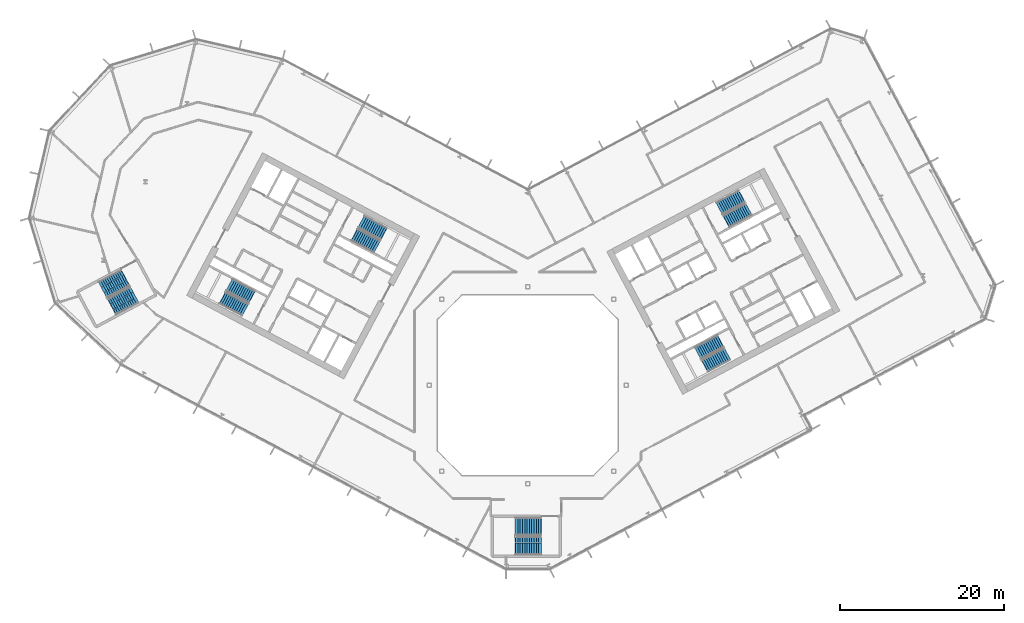
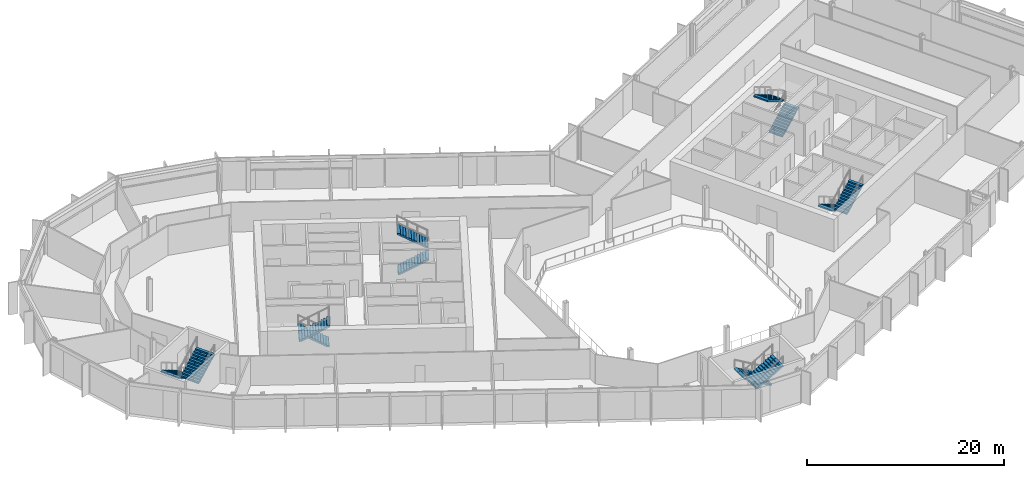
# One storey, part 18 of 28: 12 stair flights, 6 elements without a shape of their own.
"""IFC4 building model written with IfcOpenShell, lengths in metres."""

import ifcopenshell
import ifcopenshell.guid

model = None  # the IFC model being written
_history = None  # IfcOwnerHistory: only IFC2X3 demands one
_inside = {}  # id of a spatial element -> (the spatial element, [elements in it])
_under = {}  # id of a project, library or spatial element -> (it, [spatial elements below it])
_declared = {}  # id of a project -> (the project, [libraries it declares])
_typed = {}  # id of a type object -> (the type object, [elements of that type])
_made_of = {}  # id of a material, layer set ... -> (it, [elements and type objects made of it])


def new_model(schema):
    """Start an empty IFC model of exactly this schema.

    Asked for "IFC4X3", IfcOpenShell would pick the latest addendum, in which some entities
    have other attributes; the version numbers below select the first issue.
    IFC2X3 requires an IfcOwnerHistory on every rooted entity: one is made here for all.
    """
    global model, _history
    if schema == "IFC4X3":
        model = ifcopenshell.file(schema_version=(4, 3, 0, 0))
    else:
        model = ifcopenshell.file(schema=schema)
    _inside.clear()
    _under.clear()
    _declared.clear()
    _typed.clear()
    _made_of.clear()
    _history = None
    if model.schema == "IFC2X3":
        org = make("IfcOrganization", Name="unknown")
        user = make(
            "IfcPersonAndOrganization",
            ThePerson=make("IfcPerson", FamilyName="unknown"),
            TheOrganization=org,
        )
        app = make(
            "IfcApplication",
            ApplicationDeveloper=org,
            Version="unknown",
            ApplicationFullName="unknown",
            ApplicationIdentifier="unknown",
        )
        _history = make(
            "IfcOwnerHistory",
            OwningUser=user,
            OwningApplication=app,
            ChangeAction="ADDED",
            CreationDate=0,
        )
    return model


def make(cls, **values):
    """One entity of the class cls with the attributes given. An attribute that is None is left unset."""
    return model.create_entity(
        cls, **{name: value for name, value in values.items() if value is not None}
    )


def rooted(cls, **values):
    """An entity with a GlobalId (a new one), such as an element, a storey or a relation."""
    return make(cls, GlobalId=ifcopenshell.guid.new(), OwnerHistory=_history, **values)


def si_unit(unit_type, name, prefix=None):
    """IfcSIUnit, for example si_unit("LENGTHUNIT", "METRE", prefix="MILLI")."""
    return make("IfcSIUnit", UnitType=unit_type, Prefix=prefix, Name=name)


def assignment(units):
    """IfcUnitAssignment: the units of a project."""
    return None if units is None else make("IfcUnitAssignment", Units=units)


def point(xyz):
    """IfcCartesianPoint."""
    return None if xyz is None else make("IfcCartesianPoint", Coordinates=xyz)


def direction(xyz):
    """IfcDirection."""
    return None if xyz is None else make("IfcDirection", DirectionRatios=xyz)


def frame(location, z_axis=None, x_axis=None):
    """IfcAxis2Placement3D, a coordinate frame: its origin and axes. An axis left out is left unset."""
    return make(
        "IfcAxis2Placement3D",
        Location=point(location),
        Axis=direction(z_axis),
        RefDirection=direction(x_axis),
    )


def origin():
    """The frame at (0, 0, 0) with its axes left unset."""
    return frame((0.0, 0.0, 0.0))


def place(relative_to, where):
    """IfcLocalPlacement: puts the frame where relative to a parent placement (None: the world)."""
    return make(
        "IfcLocalPlacement", PlacementRelTo=relative_to, RelativePlacement=where
    )


def context(
    kind, dimensions, precision=None, world=None, true_north=None, identifier=None
):
    """IfcGeometricRepresentationContext, for example the 3D "Model" context."""
    return make(
        "IfcGeometricRepresentationContext",
        ContextIdentifier=identifier,
        ContextType=kind,
        CoordinateSpaceDimension=dimensions,
        Precision=precision,
        WorldCoordinateSystem=world,
        TrueNorth=true_north,
    )


def subcontext(parent, identifier, kind, view, scale=None):
    """IfcGeometricRepresentationSubContext, for example "Body" below "Model"."""
    return make(
        "IfcGeometricRepresentationSubContext",
        ContextIdentifier=identifier,
        ContextType=kind,
        ParentContext=parent,
        TargetScale=scale,
        TargetView=view,
    )


def project(units=None, contexts=None):
    """IfcProject with its units and contexts."""
    return rooted(
        "IfcProject",
        Name="project",
        RepresentationContexts=contexts,
        UnitsInContext=assignment(units),
    )


def spatial(cls, under=None, at=None, **own):
    """A site, building, storey or space (cls), placed at a placement, below another one or the project."""
    s = rooted(cls, ObjectPlacement=at, **own)
    if under is not None:
        _under.setdefault(under.id(), (under, []))[1].append(s)
    return s


def polyline(points):
    """IfcPolyline through the points."""
    return make("IfcPolyline", Points=[point(p) for p in points])


def outline(outer, holes=None, kind="AREA"):
    """IfcArbitraryClosedProfileDef: a profile drawn as a closed curve; with holes, ...WithVoids."""
    if holes is None:
        return make("IfcArbitraryClosedProfileDef", ProfileType=kind, OuterCurve=outer)
    return make(
        "IfcArbitraryProfileDefWithVoids",
        ProfileType=kind,
        OuterCurve=outer,
        InnerCurves=holes,
    )


def extrude(swept, where, along, depth):
    """IfcExtrudedAreaSolid: the profile swept, set in the frame where, extruded along a direction by depth."""
    return make(
        "IfcExtrudedAreaSolid",
        SweptArea=swept,
        Position=where,
        ExtrudedDirection=direction(along),
        Depth=depth,
    )


def shape(context_of_items, identifier, shape_type, items):
    """IfcShapeRepresentation: the items that make up one representation, for example the "Body"."""
    return make(
        "IfcShapeRepresentation",
        ContextOfItems=context_of_items,
        RepresentationIdentifier=identifier,
        RepresentationType=shape_type,
        Items=items,
    )


def material(Name=None, Category=None):
    """IfcMaterial."""
    return make("IfcMaterial", Name=Name, Category=Category)


def made_of(thing, what):
    """Note that an element or type object is made of a material, layer set ...; save() writes the relation."""
    if what is not None:
        _made_of.setdefault(what.id(), (what, []))[1].append(thing)
    return thing


def type_object(cls, material=None, **own):
    """A type object (cls), such as IfcWallType, which elements share."""
    return made_of(rooted(cls, **own), material)


def element(
    cls,
    number,
    at=None,
    inside=None,
    cuts=None,
    type_object=None,
    material=None,
    context=None,
    identifier="Body",
    shape_type=None,
    held_by="IfcProductDefinitionShape",
    body=None,
    shapes=None,
    **own,
):
    """One element of the class cls, such as IfcWall. Its Tag is "e" and its number.

    at: its placement. inside: the storey or other place that contains it. cuts: it is an
    opening in that element (IfcRelVoidsElement). A single representation is given by context,
    identifier, shape_type and body (its items); several are given by shapes. held_by: the class
    of the entity that holds the representations. save() writes the other relations.
    """
    e = rooted(cls, Tag="e%d" % number, ObjectPlacement=at, **own)
    if body is not None:
        shapes = [shape(context, identifier, shape_type, body)]
    if shapes is not None:
        e.Representation = make(held_by, Representations=shapes)
    if inside is not None:
        _inside.setdefault(inside.id(), (inside, []))[1].append(e)
    if cuts is not None:
        rooted(
            "IfcRelVoidsElement", RelatingBuildingElement=cuts, RelatedOpeningElement=e
        )
    if type_object is not None:
        _typed.setdefault(type_object.id(), (type_object, []))[1].append(e)
    return made_of(e, material)


def aggregate(whole, parts):
    """IfcRelAggregates: a whole, such as a stair, and the parts it consists of."""
    return rooted("IfcRelAggregates", RelatingObject=whole, RelatedObjects=parts)


def save(model, path):
    """Write the relations noted so far, then the file.

    IfcRelAggregates (storeys below a building ...), IfcRelContainedInSpatialStructure (elements
    in a storey), IfcRelDefinesByType, IfcRelAssociatesMaterial and IfcRelDeclares: one each for
    every whole, place, type object, material and project.
    """
    for whole, parts in _under.values():
        aggregate(whole, parts)
    for where, things in _inside.values():
        rooted(
            "IfcRelContainedInSpatialStructure",
            RelatedElements=things,
            RelatingStructure=where,
        )
    for kind, things in _typed.values():
        rooted("IfcRelDefinesByType", RelatedObjects=things, RelatingType=kind)
    for what, things in _made_of.values():
        rooted("IfcRelAssociatesMaterial", RelatedObjects=things, RelatingMaterial=what)
    for by, libraries in _declared.values():
        rooted("IfcRelDeclares", RelatingContext=by, RelatedDefinitions=libraries)
    model.write(path)


model = new_model("IFC4")

# Units and contexts
model_context = context("Model", 3, precision=1e-05, world=origin(), true_north=direction((0.0, 1.0)))
body_context = subcontext(model_context, "Body", "Model", "MODEL_VIEW")
ifc_project = project(units=[si_unit("LENGTHUNIT", "METRE"), si_unit("AREAUNIT", "SQUARE_METRE"), si_unit("VOLUMEUNIT", "CUBIC_METRE"), si_unit("PLANEANGLEUNIT", "RADIAN"), si_unit("MASSUNIT", "GRAM", prefix="KILO")], contexts=[model_context])

# Site, building, storey
site_placement = place(None, origin())
site = spatial("IfcSite", under=ifc_project, at=site_placement, CompositionType="ELEMENT")
building_placement = place(site_placement, origin())
building = spatial("IfcBuilding", under=site, at=building_placement, Name="Cormorant Relay Tower", CompositionType="ELEMENT")
storey_placement = place(building_placement, frame((0.0, 0.0, 122.199951171875)))
storey = spatial("IfcBuildingStorey", under=building, at=storey_placement, Name="L24", CompositionType="ELEMENT", Elevation=122.199951171875)

# Stair, stair flights
ifc_material_1 = material(Name="Concrete 40 MPa", Category="concrete")
stair_type_1 = type_object("IfcStairType", Name="Exit stair 1500", PredefinedType="HALF_TURN_STAIR", material=ifc_material_1)
stair_1_placement = place(storey_placement, origin())
stair_1 = element("IfcStair", 1, at=stair_1_placement, inside=storey, type_object=stair_type_1, Name="L24 Stair", PredefinedType="HALF_TURN_STAIR")
ifc_material_2 = material(Name="Concrete 40 MPa", Category="concrete")
stair_flight_type_1 = type_object("IfcStairFlightType", Name="Exit stair flight 1650", PredefinedType="STRAIGHT", material=ifc_material_2)
stair_flight_1_placement = place(storey_placement, frame((-21.114501953125, 18.33349609375, 0.0), z_axis=(0.0, 0.0, 1.0), x_axis=(0.882947592859, -0.469471562786, 0.0)))
stair_flight_1 = element("IfcStairFlight", 2, at=stair_flight_1_placement, type_object=stair_flight_type_1, Name="A1 flight 1", NumberOfRisers=12, NumberOfTreads=11, PredefinedType="STRAIGHT", RiserHeight=0.166666667, TreadLength=0.28, context=body_context, shape_type="SweptSolid", body=[
    extrude(outline(polyline([(-0.050048828125, -0.080078125), (-0.050048828125, 0.0), (0.0, 0.0), (0.0, 0.166748046875), (0.280029296875, 0.166748046875), (0.280029296875, 0.333251953125), (0.56005859375, 0.333251953125), (0.56005859375, 0.5), (0.840087890625, 0.5), (0.840087890625, 0.666748046875), (1.1201171875, 0.666748046875), (1.1201171875, 0.833251953125), (1.39990234375, 0.833251953125), (1.39990234375, 1.0), (1.679931640625, 1.0), (1.679931640625, 1.166748046875), (1.9599609375, 1.166748046875), (1.9599609375, 1.333251953125), (2.239990234375, 1.333251953125), (2.239990234375, 1.5), (2.52001953125, 1.5), (2.52001953125, 1.666748046875), (2.800048828125, 1.666748046875), (2.800048828125, 1.833251953125), (3.080078125, 1.833251953125), (3.130126953125, 1.833251953125), (3.130126953125, 1.658935546875), (3.080078125, 1.658935546875), (0.29296875, 0.0), (-0.050048828125, -0.080078125)])), frame((0.0, 0.824951171875, 0.0), z_axis=(0.0, -1.0, 0.0), x_axis=(1.0, 0.0, 0.0)), (0.0, 0.0, 1.0), 1.64990234375),
])
stair_flight_2_placement = place(storey_placement, frame((-17.5498046875, 18.47705078125, 2.0), z_axis=(0.0, 0.0, 1.0), x_axis=(-0.882947592859, 0.469471562786, 0.0)))
stair_flight_2 = element("IfcStairFlight", 3, at=stair_flight_2_placement, type_object=stair_flight_type_1, Name="A1 flight 2", NumberOfRisers=12, NumberOfTreads=11, PredefinedType="STRAIGHT", RiserHeight=0.166666667, TreadLength=0.28, context=body_context, shape_type="SweptSolid", body=[
    extrude(outline(polyline([(-0.050048828125, -0.080078125), (-0.050048828125, 0.0), (0.0, 0.0), (0.0, 0.166748046875), (0.280029296875, 0.166748046875), (0.280029296875, 0.333251953125), (0.56005859375, 0.333251953125), (0.56005859375, 0.5), (0.840087890625, 0.5), (0.840087890625, 0.666748046875), (1.1201171875, 0.666748046875), (1.1201171875, 0.833251953125), (1.39990234375, 0.833251953125), (1.39990234375, 1.0), (1.679931640625, 1.0), (1.679931640625, 1.166748046875), (1.9599609375, 1.166748046875), (1.9599609375, 1.333251953125), (2.239990234375, 1.333251953125), (2.239990234375, 1.5), (2.52001953125, 1.5), (2.52001953125, 1.666748046875), (2.800048828125, 1.666748046875), (2.800048828125, 1.833251953125), (3.080078125, 1.833251953125), (3.130126953125, 1.833251953125), (3.130126953125, 1.658935546875), (3.080078125, 1.658935546875), (0.29296875, 0.0), (-0.050048828125, -0.080078125)])), frame((0.0, 0.824951171875, 0.0), z_axis=(0.0, -1.0, 0.0), x_axis=(1.0, 0.0, 0.0)), (0.0, 0.0, 1.0), 1.64990234375),
])
aggregate(stair_1, [stair_flight_1, stair_flight_2])

stair_2_placement = place(storey_placement, origin())
stair_2 = element("IfcStair", 4, at=stair_2_placement, inside=storey, type_object=stair_type_1, Name="L24 Stair", PredefinedType="HALF_TURN_STAIR")
stair_flight_3_placement = place(storey_placement, frame((-33.62841796875, 10.773681640625, 0.0), z_axis=(0.0, 0.0, 1.0), x_axis=(-0.882947592859, 0.469471562786, 0.0)))
stair_flight_3 = element("IfcStairFlight", 5, at=stair_flight_3_placement, type_object=stair_flight_type_1, Name="A2 flight 1", NumberOfRisers=12, NumberOfTreads=11, PredefinedType="STRAIGHT", RiserHeight=0.166666667, TreadLength=0.28, context=body_context, shape_type="SweptSolid", body=[
    extrude(outline(polyline([(-0.050048828125, -0.080078125), (-0.050048828125, 0.0), (0.0, 0.0), (0.0, 0.166748046875), (0.280029296875, 0.166748046875), (0.280029296875, 0.333251953125), (0.56005859375, 0.333251953125), (0.56005859375, 0.5), (0.840087890625, 0.5), (0.840087890625, 0.666748046875), (1.1201171875, 0.666748046875), (1.1201171875, 0.833251953125), (1.39990234375, 0.833251953125), (1.39990234375, 1.0), (1.679931640625, 1.0), (1.679931640625, 1.166748046875), (1.9599609375, 1.166748046875), (1.9599609375, 1.333251953125), (2.239990234375, 1.333251953125), (2.239990234375, 1.5), (2.52001953125, 1.5), (2.52001953125, 1.666748046875), (2.800048828125, 1.666748046875), (2.800048828125, 1.833251953125), (3.080078125, 1.833251953125), (3.130126953125, 1.833251953125), (3.130126953125, 1.658935546875), (3.080078125, 1.658935546875), (0.29296875, 0.0), (-0.050048828125, -0.080078125)])), frame((0.0, 0.824951171875, 0.0), z_axis=(0.0, -1.0, 0.0), x_axis=(1.0, 0.0, 0.0)), (0.0, 0.0, 1.0), 1.64990234375),
])
stair_flight_4_placement = place(storey_placement, frame((-37.19287109375, 10.63037109375, 2.0), z_axis=(0.0, 0.0, 1.0), x_axis=(0.882947592859, -0.469471562786, 0.0)))
stair_flight_4 = element("IfcStairFlight", 6, at=stair_flight_4_placement, type_object=stair_flight_type_1, Name="A2 flight 2", NumberOfRisers=12, NumberOfTreads=11, PredefinedType="STRAIGHT", RiserHeight=0.166666667, TreadLength=0.28, context=body_context, shape_type="SweptSolid", body=[
    extrude(outline(polyline([(-0.050048828125, -0.080078125), (-0.050048828125, 0.0), (0.0, 0.0), (0.0, 0.166748046875), (0.280029296875, 0.166748046875), (0.280029296875, 0.333251953125), (0.56005859375, 0.333251953125), (0.56005859375, 0.5), (0.840087890625, 0.5), (0.840087890625, 0.666748046875), (1.1201171875, 0.666748046875), (1.1201171875, 0.833251953125), (1.39990234375, 0.833251953125), (1.39990234375, 1.0), (1.679931640625, 1.0), (1.679931640625, 1.166748046875), (1.9599609375, 1.166748046875), (1.9599609375, 1.333251953125), (2.239990234375, 1.333251953125), (2.239990234375, 1.5), (2.52001953125, 1.5), (2.52001953125, 1.666748046875), (2.800048828125, 1.666748046875), (2.800048828125, 1.833251953125), (3.080078125, 1.833251953125), (3.130126953125, 1.833251953125), (3.130126953125, 1.658935546875), (3.080078125, 1.658935546875), (0.29296875, 0.0), (-0.050048828125, -0.080078125)])), frame((0.0, 0.824951171875, 0.0), z_axis=(0.0, -1.0, 0.0), x_axis=(1.0, 0.0, 0.0)), (0.0, 0.0, 1.0), 1.64990234375),
])
aggregate(stair_2, [stair_flight_3, stair_flight_4])

stair_3_placement = place(storey_placement, origin())
stair_3 = element("IfcStair", 7, at=stair_3_placement, inside=storey, type_object=stair_type_1, Name="L24 Stair", PredefinedType="HALF_TURN_STAIR")
stair_flight_5_placement = place(storey_placement, frame((23.474365234375, 5.374755859375, 0.0), z_axis=(0.0, 0.0, 1.0), x_axis=(-0.882947592859, -0.469471562786, 0.0)))
stair_flight_5 = element("IfcStairFlight", 8, at=stair_flight_5_placement, type_object=stair_flight_type_1, Name="B1 flight 1", NumberOfRisers=12, NumberOfTreads=11, PredefinedType="STRAIGHT", RiserHeight=0.166666667, TreadLength=0.28, context=body_context, shape_type="SweptSolid", body=[
    extrude(outline(polyline([(-0.050048828125, -0.080078125), (-0.050048828125, 0.0), (0.0, 0.0), (0.0, 0.166748046875), (0.280029296875, 0.166748046875), (0.280029296875, 0.333251953125), (0.56005859375, 0.333251953125), (0.56005859375, 0.5), (0.840087890625, 0.5), (0.840087890625, 0.666748046875), (1.1201171875, 0.666748046875), (1.1201171875, 0.833251953125), (1.39990234375, 0.833251953125), (1.39990234375, 1.0), (1.679931640625, 1.0), (1.679931640625, 1.166748046875), (1.9599609375, 1.166748046875), (1.9599609375, 1.333251953125), (2.239990234375, 1.333251953125), (2.239990234375, 1.5), (2.52001953125, 1.5), (2.52001953125, 1.666748046875), (2.800048828125, 1.666748046875), (2.800048828125, 1.833251953125), (3.080078125, 1.833251953125), (3.130126953125, 1.833251953125), (3.130126953125, 1.658935546875), (3.080078125, 1.658935546875), (0.29296875, 0.0), (-0.050048828125, -0.080078125)])), frame((0.0, 0.824951171875, 0.0), z_axis=(0.0, -1.0, 0.0), x_axis=(1.0, 0.0, 0.0)), (0.0, 0.0, 1.0), 1.64990234375),
])
stair_flight_6_placement = place(storey_placement, frame((21.60009765625, 2.33935546875, 2.0), z_axis=(0.0, 0.0, 1.0), x_axis=(0.882947592859, 0.469471562786, 0.0)))
stair_flight_6 = element("IfcStairFlight", 9, at=stair_flight_6_placement, type_object=stair_flight_type_1, Name="B1 flight 2", NumberOfRisers=12, NumberOfTreads=11, PredefinedType="STRAIGHT", RiserHeight=0.166666667, TreadLength=0.28, context=body_context, shape_type="SweptSolid", body=[
    extrude(outline(polyline([(-0.050048828125, -0.080078125), (-0.050048828125, 0.0), (0.0, 0.0), (0.0, 0.166748046875), (0.280029296875, 0.166748046875), (0.280029296875, 0.333251953125), (0.56005859375, 0.333251953125), (0.56005859375, 0.5), (0.840087890625, 0.5), (0.840087890625, 0.666748046875), (1.1201171875, 0.666748046875), (1.1201171875, 0.833251953125), (1.39990234375, 0.833251953125), (1.39990234375, 1.0), (1.679931640625, 1.0), (1.679931640625, 1.166748046875), (1.9599609375, 1.166748046875), (1.9599609375, 1.333251953125), (2.239990234375, 1.333251953125), (2.239990234375, 1.5), (2.52001953125, 1.5), (2.52001953125, 1.666748046875), (2.800048828125, 1.666748046875), (2.800048828125, 1.833251953125), (3.080078125, 1.833251953125), (3.130126953125, 1.833251953125), (3.130126953125, 1.658935546875), (3.080078125, 1.658935546875), (0.29296875, 0.0), (-0.050048828125, -0.080078125)])), frame((0.0, 0.824951171875, 0.0), z_axis=(0.0, -1.0, 0.0), x_axis=(1.0, 0.0, 0.0)), (0.0, 0.0, 1.0), 1.64990234375),
])
aggregate(stair_3, [stair_flight_5, stair_flight_6])

stair_4_placement = place(storey_placement, origin())
stair_4 = element("IfcStair", 10, at=stair_4_placement, inside=storey, type_object=stair_type_1, Name="L24 Stair", PredefinedType="HALF_TURN_STAIR")
stair_flight_7_placement = place(storey_placement, frame((24.20458984375, 19.976806640625, 0.0), z_axis=(0.0, 0.0, 1.0), x_axis=(0.882947592859, 0.469471562786, 0.0)))
stair_flight_7 = element("IfcStairFlight", 11, at=stair_flight_7_placement, type_object=stair_flight_type_1, Name="B2 flight 1", NumberOfRisers=12, NumberOfTreads=11, PredefinedType="STRAIGHT", RiserHeight=0.166666667, TreadLength=0.28, context=body_context, shape_type="SweptSolid", body=[
    extrude(outline(polyline([(-0.050048828125, -0.080078125), (-0.050048828125, 0.0), (0.0, 0.0), (0.0, 0.166748046875), (0.280029296875, 0.166748046875), (0.280029296875, 0.333251953125), (0.56005859375, 0.333251953125), (0.56005859375, 0.5), (0.840087890625, 0.5), (0.840087890625, 0.666748046875), (1.1201171875, 0.666748046875), (1.1201171875, 0.833251953125), (1.39990234375, 0.833251953125), (1.39990234375, 1.0), (1.679931640625, 1.0), (1.679931640625, 1.166748046875), (1.9599609375, 1.166748046875), (1.9599609375, 1.333251953125), (2.239990234375, 1.333251953125), (2.239990234375, 1.5), (2.52001953125, 1.5), (2.52001953125, 1.666748046875), (2.800048828125, 1.666748046875), (2.800048828125, 1.833251953125), (3.080078125, 1.833251953125), (3.130126953125, 1.833251953125), (3.130126953125, 1.658935546875), (3.080078125, 1.658935546875), (0.29296875, 0.0), (-0.050048828125, -0.080078125)])), frame((0.0, 0.824951171875, 0.0), z_axis=(0.0, -1.0, 0.0), x_axis=(1.0, 0.0, 0.0)), (0.0, 0.0, 1.0), 1.64990234375),
])
stair_flight_8_placement = place(storey_placement, frame((26.0791015625, 23.011962890625, 2.0), z_axis=(0.0, 0.0, 1.0), x_axis=(-0.882947592859, -0.469471562786, 0.0)))
stair_flight_8 = element("IfcStairFlight", 12, at=stair_flight_8_placement, type_object=stair_flight_type_1, Name="B2 flight 2", NumberOfRisers=12, NumberOfTreads=11, PredefinedType="STRAIGHT", RiserHeight=0.166666667, TreadLength=0.28, context=body_context, shape_type="SweptSolid", body=[
    extrude(outline(polyline([(-0.050048828125, -0.080078125), (-0.050048828125, 0.0), (0.0, 0.0), (0.0, 0.166748046875), (0.280029296875, 0.166748046875), (0.280029296875, 0.333251953125), (0.56005859375, 0.333251953125), (0.56005859375, 0.5), (0.840087890625, 0.5), (0.840087890625, 0.666748046875), (1.1201171875, 0.666748046875), (1.1201171875, 0.833251953125), (1.39990234375, 0.833251953125), (1.39990234375, 1.0), (1.679931640625, 1.0), (1.679931640625, 1.166748046875), (1.9599609375, 1.166748046875), (1.9599609375, 1.333251953125), (2.239990234375, 1.333251953125), (2.239990234375, 1.5), (2.52001953125, 1.5), (2.52001953125, 1.666748046875), (2.800048828125, 1.666748046875), (2.800048828125, 1.833251953125), (3.080078125, 1.833251953125), (3.130126953125, 1.833251953125), (3.130126953125, 1.658935546875), (3.080078125, 1.658935546875), (0.29296875, 0.0), (-0.050048828125, -0.080078125)])), frame((0.0, 0.824951171875, 0.0), z_axis=(0.0, -1.0, 0.0), x_axis=(1.0, 0.0, 0.0)), (0.0, 0.0, 1.0), 1.64990234375),
])
aggregate(stair_4, [stair_flight_7, stair_flight_8])

ifc_material_3 = material(Name="Concrete 40 MPa", Category="concrete")
stair_type_2 = type_object("IfcStairType", Name="Remote exit stair 2200", PredefinedType="HALF_TURN_STAIR", material=ifc_material_3)
stair_5_placement = place(storey_placement, origin())
stair_5 = element("IfcStair", 13, at=stair_5_placement, inside=storey, type_object=stair_type_2, Name="L24 Stair", PredefinedType="HALF_TURN_STAIR")
ifc_material_4 = material(Name="Concrete 40 MPa", Category="concrete")
stair_flight_type_2 = type_object("IfcStairFlightType", Name="Remote exit stair flight 2200", PredefinedType="STRAIGHT", material=ifc_material_4)
stair_flight_9_placement = place(storey_placement, frame((1.60009765625, -17.22509765625, 0.0), z_axis=(0.0, 0.0, 1.0), x_axis=(-1.0, 0.0, 0.0)))
stair_flight_9 = element("IfcStairFlight", 14, at=stair_flight_9_placement, type_object=stair_flight_type_2, Name="RK1 flight 1", NumberOfRisers=12, NumberOfTreads=11, PredefinedType="STRAIGHT", RiserHeight=0.166666667, TreadLength=0.28, context=body_context, shape_type="SweptSolid", body=[
    extrude(outline(polyline([(-0.050048828125, -0.080078125), (-0.050048828125, 0.0), (0.0, 0.0), (0.0, 0.166748046875), (0.280029296875, 0.166748046875), (0.280029296875, 0.333251953125), (0.56005859375, 0.333251953125), (0.56005859375, 0.5), (0.840087890625, 0.5), (0.840087890625, 0.666748046875), (1.1201171875, 0.666748046875), (1.1201171875, 0.833251953125), (1.39990234375, 0.833251953125), (1.39990234375, 1.0), (1.679931640625, 1.0), (1.679931640625, 1.166748046875), (1.9599609375, 1.166748046875), (1.9599609375, 1.333251953125), (2.239990234375, 1.333251953125), (2.239990234375, 1.5), (2.52001953125, 1.5), (2.52001953125, 1.666748046875), (2.800048828125, 1.666748046875), (2.800048828125, 1.833251953125), (3.080078125, 1.833251953125), (3.130126953125, 1.833251953125), (3.130126953125, 1.658935546875), (3.080078125, 1.658935546875), (0.29296875, 0.0), (-0.050048828125, -0.080078125)])), frame((0.0, 1.10009765625, 0.0), z_axis=(0.0, -1.0, 0.0), x_axis=(1.0, 0.0, 0.0)), (0.0, 0.0, 1.0), 0.719970703125),
    extrude(outline(polyline([(-0.050048828125, -0.080078125), (-0.050048828125, 0.0), (0.0, 0.0), (0.0, 0.166748046875), (0.280029296875, 0.166748046875), (0.280029296875, 0.333251953125), (0.56005859375, 0.333251953125), (0.56005859375, 0.5), (0.840087890625, 0.5), (0.840087890625, 0.666748046875), (1.1201171875, 0.666748046875), (1.1201171875, 0.833251953125), (1.39990234375, 0.833251953125), (1.39990234375, 1.0), (1.679931640625, 1.0), (1.679931640625, 1.166748046875), (1.9599609375, 1.166748046875), (1.9599609375, 1.333251953125), (2.239990234375, 1.333251953125), (2.239990234375, 1.5), (2.52001953125, 1.5), (2.52001953125, 1.666748046875), (2.800048828125, 1.666748046875), (2.800048828125, 1.833251953125), (3.080078125, 1.833251953125), (3.130126953125, 1.833251953125), (3.130126953125, 1.658935546875), (3.080078125, 1.658935546875), (0.29296875, 0.0), (-0.050048828125, -0.080078125)])), frame((0.0, 0.360107421875, 0.0), z_axis=(0.0, -1.0, 0.0), x_axis=(1.0, 0.0, 0.0)), (0.0, 0.0, 1.0), 0.719970703125),
    extrude(outline(polyline([(-0.050048828125, -0.080078125), (-0.050048828125, 0.0), (0.0, 0.0), (0.0, 0.166748046875), (0.280029296875, 0.166748046875), (0.280029296875, 0.333251953125), (0.56005859375, 0.333251953125), (0.56005859375, 0.5), (0.840087890625, 0.5), (0.840087890625, 0.666748046875), (1.1201171875, 0.666748046875), (1.1201171875, 0.833251953125), (1.39990234375, 0.833251953125), (1.39990234375, 1.0), (1.679931640625, 1.0), (1.679931640625, 1.166748046875), (1.9599609375, 1.166748046875), (1.9599609375, 1.333251953125), (2.239990234375, 1.333251953125), (2.239990234375, 1.5), (2.52001953125, 1.5), (2.52001953125, 1.666748046875), (2.800048828125, 1.666748046875), (2.800048828125, 1.833251953125), (3.080078125, 1.833251953125), (3.130126953125, 1.833251953125), (3.130126953125, 1.658935546875), (3.080078125, 1.658935546875), (0.29296875, 0.0), (-0.050048828125, -0.080078125)])), frame((0.0, -0.3798828125, 0.0), z_axis=(0.0, -1.0, 0.0), x_axis=(1.0, 0.0, 0.0)), (0.0, 0.0, 1.0), 0.719970703125),
])
stair_flight_10_placement = place(storey_placement, frame((-1.47998046875, -19.574951171875, 2.0), z_axis=(0.0, 0.0, 1.0), x_axis=(1.0, 0.0, 0.0)))
stair_flight_10 = element("IfcStairFlight", 15, at=stair_flight_10_placement, type_object=stair_flight_type_2, Name="RK1 flight 2", NumberOfRisers=12, NumberOfTreads=11, PredefinedType="STRAIGHT", RiserHeight=0.166666667, TreadLength=0.28, context=body_context, shape_type="SweptSolid", body=[
    extrude(outline(polyline([(-0.050048828125, -0.080078125), (-0.050048828125, 0.0), (0.0, 0.0), (0.0, 0.166748046875), (0.280029296875, 0.166748046875), (0.280029296875, 0.333251953125), (0.56005859375, 0.333251953125), (0.56005859375, 0.5), (0.840087890625, 0.5), (0.840087890625, 0.666748046875), (1.1201171875, 0.666748046875), (1.1201171875, 0.833251953125), (1.39990234375, 0.833251953125), (1.39990234375, 1.0), (1.679931640625, 1.0), (1.679931640625, 1.166748046875), (1.9599609375, 1.166748046875), (1.9599609375, 1.333251953125), (2.239990234375, 1.333251953125), (2.239990234375, 1.5), (2.52001953125, 1.5), (2.52001953125, 1.666748046875), (2.800048828125, 1.666748046875), (2.800048828125, 1.833251953125), (3.080078125, 1.833251953125), (3.130126953125, 1.833251953125), (3.130126953125, 1.658935546875), (3.080078125, 1.658935546875), (0.29296875, 0.0), (-0.050048828125, -0.080078125)])), frame((0.0, 1.10009765625, 0.0), z_axis=(0.0, -1.0, 0.0), x_axis=(1.0, 0.0, 0.0)), (0.0, 0.0, 1.0), 0.719970703125),
    extrude(outline(polyline([(-0.050048828125, -0.080078125), (-0.050048828125, 0.0), (0.0, 0.0), (0.0, 0.166748046875), (0.280029296875, 0.166748046875), (0.280029296875, 0.333251953125), (0.56005859375, 0.333251953125), (0.56005859375, 0.5), (0.840087890625, 0.5), (0.840087890625, 0.666748046875), (1.1201171875, 0.666748046875), (1.1201171875, 0.833251953125), (1.39990234375, 0.833251953125), (1.39990234375, 1.0), (1.679931640625, 1.0), (1.679931640625, 1.166748046875), (1.9599609375, 1.166748046875), (1.9599609375, 1.333251953125), (2.239990234375, 1.333251953125), (2.239990234375, 1.5), (2.52001953125, 1.5), (2.52001953125, 1.666748046875), (2.800048828125, 1.666748046875), (2.800048828125, 1.833251953125), (3.080078125, 1.833251953125), (3.130126953125, 1.833251953125), (3.130126953125, 1.658935546875), (3.080078125, 1.658935546875), (0.29296875, 0.0), (-0.050048828125, -0.080078125)])), frame((0.0, 0.360107421875, 0.0), z_axis=(0.0, -1.0, 0.0), x_axis=(1.0, 0.0, 0.0)), (0.0, 0.0, 1.0), 0.719970703125),
    extrude(outline(polyline([(-0.050048828125, -0.080078125), (-0.050048828125, 0.0), (0.0, 0.0), (0.0, 0.166748046875), (0.280029296875, 0.166748046875), (0.280029296875, 0.333251953125), (0.56005859375, 0.333251953125), (0.56005859375, 0.5), (0.840087890625, 0.5), (0.840087890625, 0.666748046875), (1.1201171875, 0.666748046875), (1.1201171875, 0.833251953125), (1.39990234375, 0.833251953125), (1.39990234375, 1.0), (1.679931640625, 1.0), (1.679931640625, 1.166748046875), (1.9599609375, 1.166748046875), (1.9599609375, 1.333251953125), (2.239990234375, 1.333251953125), (2.239990234375, 1.5), (2.52001953125, 1.5), (2.52001953125, 1.666748046875), (2.800048828125, 1.666748046875), (2.800048828125, 1.833251953125), (3.080078125, 1.833251953125), (3.130126953125, 1.833251953125), (3.130126953125, 1.658935546875), (3.080078125, 1.658935546875), (0.29296875, 0.0), (-0.050048828125, -0.080078125)])), frame((0.0, -0.3798828125, 0.0), z_axis=(0.0, -1.0, 0.0), x_axis=(1.0, 0.0, 0.0)), (0.0, 0.0, 1.0), 0.719970703125),
])
aggregate(stair_5, [stair_flight_9, stair_flight_10])

stair_6_placement = place(storey_placement, origin())
stair_6 = element("IfcStair", 16, at=stair_6_placement, inside=storey, type_object=stair_type_2, Name="L24 Stair", PredefinedType="HALF_TURN_STAIR")
stair_flight_11_placement = place(storey_placement, frame((-49.062255859375, 13.08251953125, 0.0), z_axis=(0.0, 0.0, 1.0), x_axis=(-0.882947502727, -0.4694717323, 0.0)))
stair_flight_11 = element("IfcStairFlight", 17, at=stair_flight_11_placement, type_object=stair_flight_type_2, Name="RP1 flight 1", NumberOfRisers=12, NumberOfTreads=11, PredefinedType="STRAIGHT", RiserHeight=0.166666667, TreadLength=0.28, context=body_context, shape_type="SweptSolid", body=[
    extrude(outline(polyline([(-0.050048828125, -0.080078125), (-0.050048828125, 0.0), (0.0, 0.0), (0.0, 0.166748046875), (0.280029296875, 0.166748046875), (0.280029296875, 0.333251953125), (0.56005859375, 0.333251953125), (0.56005859375, 0.5), (0.840087890625, 0.5), (0.840087890625, 0.666748046875), (1.1201171875, 0.666748046875), (1.1201171875, 0.833251953125), (1.39990234375, 0.833251953125), (1.39990234375, 1.0), (1.679931640625, 1.0), (1.679931640625, 1.166748046875), (1.9599609375, 1.166748046875), (1.9599609375, 1.333251953125), (2.239990234375, 1.333251953125), (2.239990234375, 1.5), (2.52001953125, 1.5), (2.52001953125, 1.666748046875), (2.800048828125, 1.666748046875), (2.800048828125, 1.833251953125), (3.080078125, 1.833251953125), (3.130126953125, 1.833251953125), (3.130126953125, 1.658935546875), (3.080078125, 1.658935546875), (0.29296875, 0.0), (-0.050048828125, -0.080078125)])), frame((0.0, 1.10009765625, 0.0), z_axis=(0.0, -1.0, 0.0), x_axis=(1.0, 0.0, 0.0)), (0.0, 0.0, 1.0), 0.719970703125),
    extrude(outline(polyline([(-0.050048828125, -0.080078125), (-0.050048828125, 0.0), (0.0, 0.0), (0.0, 0.166748046875), (0.280029296875, 0.166748046875), (0.280029296875, 0.333251953125), (0.56005859375, 0.333251953125), (0.56005859375, 0.5), (0.840087890625, 0.5), (0.840087890625, 0.666748046875), (1.1201171875, 0.666748046875), (1.1201171875, 0.833251953125), (1.39990234375, 0.833251953125), (1.39990234375, 1.0), (1.679931640625, 1.0), (1.679931640625, 1.166748046875), (1.9599609375, 1.166748046875), (1.9599609375, 1.333251953125), (2.239990234375, 1.333251953125), (2.239990234375, 1.5), (2.52001953125, 1.5), (2.52001953125, 1.666748046875), (2.800048828125, 1.666748046875), (2.800048828125, 1.833251953125), (3.080078125, 1.833251953125), (3.130126953125, 1.833251953125), (3.130126953125, 1.658935546875), (3.080078125, 1.658935546875), (0.29296875, 0.0), (-0.050048828125, -0.080078125)])), frame((0.0, 0.360107421875, 0.0), z_axis=(0.0, -1.0, 0.0), x_axis=(1.0, 0.0, 0.0)), (0.0, 0.0, 1.0), 0.719970703125),
    extrude(outline(polyline([(-0.050048828125, -0.080078125), (-0.050048828125, 0.0), (0.0, 0.0), (0.0, 0.166748046875), (0.280029296875, 0.166748046875), (0.280029296875, 0.333251953125), (0.56005859375, 0.333251953125), (0.56005859375, 0.5), (0.840087890625, 0.5), (0.840087890625, 0.666748046875), (1.1201171875, 0.666748046875), (1.1201171875, 0.833251953125), (1.39990234375, 0.833251953125), (1.39990234375, 1.0), (1.679931640625, 1.0), (1.679931640625, 1.166748046875), (1.9599609375, 1.166748046875), (1.9599609375, 1.333251953125), (2.239990234375, 1.333251953125), (2.239990234375, 1.5), (2.52001953125, 1.5), (2.52001953125, 1.666748046875), (2.800048828125, 1.666748046875), (2.800048828125, 1.833251953125), (3.080078125, 1.833251953125), (3.130126953125, 1.833251953125), (3.130126953125, 1.658935546875), (3.080078125, 1.658935546875), (0.29296875, 0.0), (-0.050048828125, -0.080078125)])), frame((0.0, -0.3798828125, 0.0), z_axis=(0.0, -1.0, 0.0), x_axis=(1.0, 0.0, 0.0)), (0.0, 0.0, 1.0), 0.719970703125),
])
stair_flight_12_placement = place(storey_placement, frame((-50.678466796875, 9.5615234375, 2.0), z_axis=(0.0, 0.0, 1.0), x_axis=(0.882947502727, 0.4694717323, 0.0)))
stair_flight_12 = element("IfcStairFlight", 18, at=stair_flight_12_placement, type_object=stair_flight_type_2, Name="RP1 flight 2", NumberOfRisers=12, NumberOfTreads=11, PredefinedType="STRAIGHT", RiserHeight=0.166666667, TreadLength=0.28, context=body_context, shape_type="SweptSolid", body=[
    extrude(outline(polyline([(-0.050048828125, -0.080078125), (-0.050048828125, 0.0), (0.0, 0.0), (0.0, 0.166748046875), (0.280029296875, 0.166748046875), (0.280029296875, 0.333251953125), (0.56005859375, 0.333251953125), (0.56005859375, 0.5), (0.840087890625, 0.5), (0.840087890625, 0.666748046875), (1.1201171875, 0.666748046875), (1.1201171875, 0.833251953125), (1.39990234375, 0.833251953125), (1.39990234375, 1.0), (1.679931640625, 1.0), (1.679931640625, 1.166748046875), (1.9599609375, 1.166748046875), (1.9599609375, 1.333251953125), (2.239990234375, 1.333251953125), (2.239990234375, 1.5), (2.52001953125, 1.5), (2.52001953125, 1.666748046875), (2.800048828125, 1.666748046875), (2.800048828125, 1.833251953125), (3.080078125, 1.833251953125), (3.130126953125, 1.833251953125), (3.130126953125, 1.658935546875), (3.080078125, 1.658935546875), (0.29296875, 0.0), (-0.050048828125, -0.080078125)])), frame((0.0, 1.10009765625, 0.0), z_axis=(0.0, -1.0, 0.0), x_axis=(1.0, 0.0, 0.0)), (0.0, 0.0, 1.0), 0.719970703125),
    extrude(outline(polyline([(-0.050048828125, -0.080078125), (-0.050048828125, 0.0), (0.0, 0.0), (0.0, 0.166748046875), (0.280029296875, 0.166748046875), (0.280029296875, 0.333251953125), (0.56005859375, 0.333251953125), (0.56005859375, 0.5), (0.840087890625, 0.5), (0.840087890625, 0.666748046875), (1.1201171875, 0.666748046875), (1.1201171875, 0.833251953125), (1.39990234375, 0.833251953125), (1.39990234375, 1.0), (1.679931640625, 1.0), (1.679931640625, 1.166748046875), (1.9599609375, 1.166748046875), (1.9599609375, 1.333251953125), (2.239990234375, 1.333251953125), (2.239990234375, 1.5), (2.52001953125, 1.5), (2.52001953125, 1.666748046875), (2.800048828125, 1.666748046875), (2.800048828125, 1.833251953125), (3.080078125, 1.833251953125), (3.130126953125, 1.833251953125), (3.130126953125, 1.658935546875), (3.080078125, 1.658935546875), (0.29296875, 0.0), (-0.050048828125, -0.080078125)])), frame((0.0, 0.360107421875, 0.0), z_axis=(0.0, -1.0, 0.0), x_axis=(1.0, 0.0, 0.0)), (0.0, 0.0, 1.0), 0.719970703125),
    extrude(outline(polyline([(-0.050048828125, -0.080078125), (-0.050048828125, 0.0), (0.0, 0.0), (0.0, 0.166748046875), (0.280029296875, 0.166748046875), (0.280029296875, 0.333251953125), (0.56005859375, 0.333251953125), (0.56005859375, 0.5), (0.840087890625, 0.5), (0.840087890625, 0.666748046875), (1.1201171875, 0.666748046875), (1.1201171875, 0.833251953125), (1.39990234375, 0.833251953125), (1.39990234375, 1.0), (1.679931640625, 1.0), (1.679931640625, 1.166748046875), (1.9599609375, 1.166748046875), (1.9599609375, 1.333251953125), (2.239990234375, 1.333251953125), (2.239990234375, 1.5), (2.52001953125, 1.5), (2.52001953125, 1.666748046875), (2.800048828125, 1.666748046875), (2.800048828125, 1.833251953125), (3.080078125, 1.833251953125), (3.130126953125, 1.833251953125), (3.130126953125, 1.658935546875), (3.080078125, 1.658935546875), (0.29296875, 0.0), (-0.050048828125, -0.080078125)])), frame((0.0, -0.3798828125, 0.0), z_axis=(0.0, -1.0, 0.0), x_axis=(1.0, 0.0, 0.0)), (0.0, 0.0, 1.0), 0.719970703125),
])
aggregate(stair_6, [stair_flight_11, stair_flight_12])

save(model, "model.ifc")
